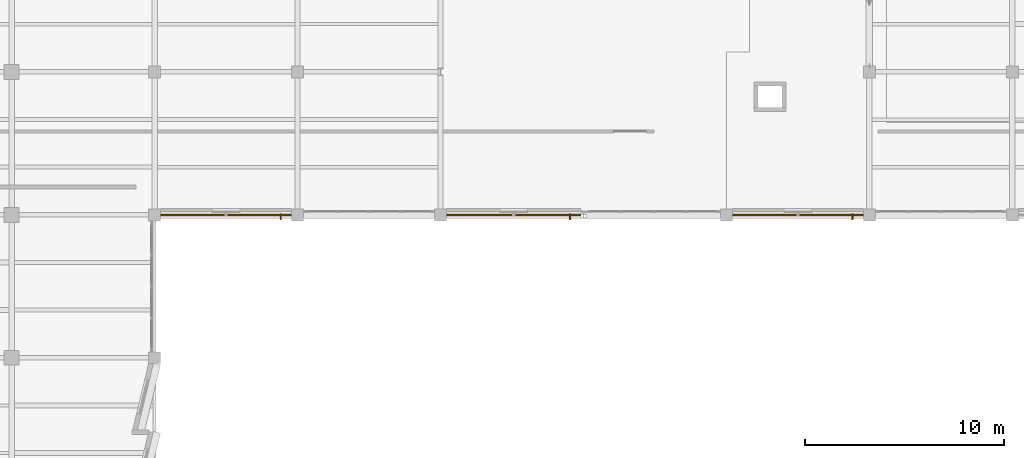
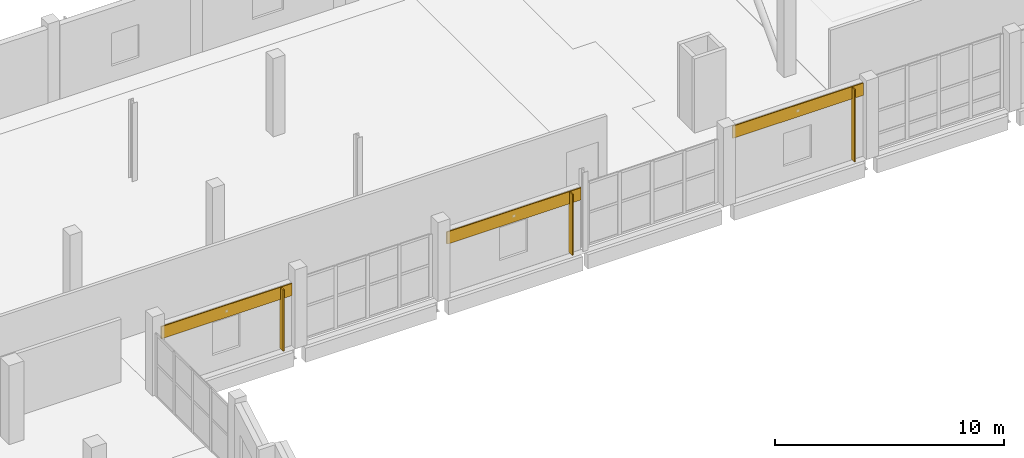
# One storey, part 87 of 94: 3 coverings, 3 shading devices.
"""IFC4 building model written with IfcOpenShell, lengths in metres."""

import ifcopenshell
import ifcopenshell.guid

model = None  # the IFC model being written
_history = None  # IfcOwnerHistory: only IFC2X3 demands one
_inside = {}  # id of a spatial element -> (the spatial element, [elements in it])
_under = {}  # id of a project, library or spatial element -> (it, [spatial elements below it])
_declared = {}  # id of a project -> (the project, [libraries it declares])
_typed = {}  # id of a type object -> (the type object, [elements of that type])
_made_of = {}  # id of a material, layer set ... -> (it, [elements and type objects made of it])


def new_model(schema):
    """Start an empty IFC model of exactly this schema.

    Asked for "IFC4X3", IfcOpenShell would pick the latest addendum, in which some entities
    have other attributes; the version numbers below select the first issue.
    IFC2X3 requires an IfcOwnerHistory on every rooted entity: one is made here for all.
    """
    global model, _history
    if schema == "IFC4X3":
        model = ifcopenshell.file(schema_version=(4, 3, 0, 0))
    else:
        model = ifcopenshell.file(schema=schema)
    _inside.clear()
    _under.clear()
    _declared.clear()
    _typed.clear()
    _made_of.clear()
    _history = None
    if model.schema == "IFC2X3":
        org = make("IfcOrganization", Name="unknown")
        user = make(
            "IfcPersonAndOrganization",
            ThePerson=make("IfcPerson", FamilyName="unknown"),
            TheOrganization=org,
        )
        app = make(
            "IfcApplication",
            ApplicationDeveloper=org,
            Version="unknown",
            ApplicationFullName="unknown",
            ApplicationIdentifier="unknown",
        )
        _history = make(
            "IfcOwnerHistory",
            OwningUser=user,
            OwningApplication=app,
            ChangeAction="ADDED",
            CreationDate=0,
        )
    return model


def make(cls, **values):
    """One entity of the class cls with the attributes given. An attribute that is None is left unset."""
    return model.create_entity(
        cls, **{name: value for name, value in values.items() if value is not None}
    )


def rooted(cls, **values):
    """An entity with a GlobalId (a new one), such as an element, a storey or a relation."""
    return make(cls, GlobalId=ifcopenshell.guid.new(), OwnerHistory=_history, **values)


def si_unit(unit_type, name, prefix=None):
    """IfcSIUnit, for example si_unit("LENGTHUNIT", "METRE", prefix="MILLI")."""
    return make("IfcSIUnit", UnitType=unit_type, Prefix=prefix, Name=name)


def assignment(units):
    """IfcUnitAssignment: the units of a project."""
    return None if units is None else make("IfcUnitAssignment", Units=units)


def point(xyz):
    """IfcCartesianPoint."""
    return None if xyz is None else make("IfcCartesianPoint", Coordinates=xyz)


def direction(xyz):
    """IfcDirection."""
    return None if xyz is None else make("IfcDirection", DirectionRatios=xyz)


def frame(location, z_axis=None, x_axis=None):
    """IfcAxis2Placement3D, a coordinate frame: its origin and axes. An axis left out is left unset."""
    return make(
        "IfcAxis2Placement3D",
        Location=point(location),
        Axis=direction(z_axis),
        RefDirection=direction(x_axis),
    )


def frame_2d(location, x_axis=None):
    """IfcAxis2Placement2D, a coordinate frame in the plane: its origin and x axis."""
    return make(
        "IfcAxis2Placement2D", Location=point(location), RefDirection=direction(x_axis)
    )


def origin():
    """The frame at (0, 0, 0) with its axes left unset."""
    return frame((0.0, 0.0, 0.0))


def origin_2d():
    """The frame at (0, 0) in the plane with its x axis left unset."""
    return frame_2d((0.0, 0.0))


def place(relative_to, where):
    """IfcLocalPlacement: puts the frame where relative to a parent placement (None: the world)."""
    return make(
        "IfcLocalPlacement", PlacementRelTo=relative_to, RelativePlacement=where
    )


def context(
    kind, dimensions, precision=None, world=None, true_north=None, identifier=None
):
    """IfcGeometricRepresentationContext, for example the 3D "Model" context."""
    return make(
        "IfcGeometricRepresentationContext",
        ContextIdentifier=identifier,
        ContextType=kind,
        CoordinateSpaceDimension=dimensions,
        Precision=precision,
        WorldCoordinateSystem=world,
        TrueNorth=true_north,
    )


def subcontext(parent, identifier, kind, view, scale=None):
    """IfcGeometricRepresentationSubContext, for example "Body" below "Model"."""
    return make(
        "IfcGeometricRepresentationSubContext",
        ContextIdentifier=identifier,
        ContextType=kind,
        ParentContext=parent,
        TargetScale=scale,
        TargetView=view,
    )


def project(units=None, contexts=None):
    """IfcProject with its units and contexts."""
    return rooted(
        "IfcProject",
        Name="project",
        RepresentationContexts=contexts,
        UnitsInContext=assignment(units),
    )


def spatial(cls, under=None, at=None, **own):
    """A site, building, storey or space (cls), placed at a placement, below another one or the project."""
    s = rooted(cls, ObjectPlacement=at, **own)
    if under is not None:
        _under.setdefault(under.id(), (under, []))[1].append(s)
    return s


def profile(cls, at=None, kind="AREA", **sizes):
    """A parametric profile (cls). Its sizes go by their IFC names, for example OverallWidth=200.0."""
    return make(cls, ProfileType=kind, Position=at, **sizes)


def rectangle(**sizes):
    """IfcRectangleProfileDef."""
    return profile("IfcRectangleProfileDef", **sizes)


def extrude(swept, where, along, depth):
    """IfcExtrudedAreaSolid: the profile swept, set in the frame where, extruded along a direction by depth."""
    return make(
        "IfcExtrudedAreaSolid",
        SweptArea=swept,
        Position=where,
        ExtrudedDirection=direction(along),
        Depth=depth,
    )


def shape(context_of_items, identifier, shape_type, items):
    """IfcShapeRepresentation: the items that make up one representation, for example the "Body"."""
    return make(
        "IfcShapeRepresentation",
        ContextOfItems=context_of_items,
        RepresentationIdentifier=identifier,
        RepresentationType=shape_type,
        Items=items,
    )


def material(Name=None, Category=None):
    """IfcMaterial."""
    return make("IfcMaterial", Name=Name, Category=Category)


def layer(
    of_material, thickness, ventilated=None, Name=None, Category=None, Priority=None
):
    """IfcMaterialLayer: one layer of a wall or slab, of a material (None: an air gap)."""
    return make(
        "IfcMaterialLayer",
        Material=of_material,
        LayerThickness=thickness,
        IsVentilated=ventilated,
        Name=Name,
        Category=Category,
        Priority=Priority,
    )


def layer_set(layers, Name=None):
    """IfcMaterialLayerSet."""
    return make("IfcMaterialLayerSet", MaterialLayers=layers, LayerSetName=Name)


def made_of(thing, what):
    """Note that an element or type object is made of a material, layer set ...; save() writes the relation."""
    if what is not None:
        _made_of.setdefault(what.id(), (what, []))[1].append(thing)
    return thing


def type_object(cls, material=None, **own):
    """A type object (cls), such as IfcWallType, which elements share."""
    return made_of(rooted(cls, **own), material)


def element(
    cls,
    number,
    at=None,
    inside=None,
    cuts=None,
    type_object=None,
    material=None,
    context=None,
    identifier="Body",
    shape_type=None,
    held_by="IfcProductDefinitionShape",
    body=None,
    shapes=None,
    **own,
):
    """One element of the class cls, such as IfcWall. Its Tag is "e" and its number.

    at: its placement. inside: the storey or other place that contains it. cuts: it is an
    opening in that element (IfcRelVoidsElement). A single representation is given by context,
    identifier, shape_type and body (its items); several are given by shapes. held_by: the class
    of the entity that holds the representations. save() writes the other relations.
    """
    e = rooted(cls, Tag="e%d" % number, ObjectPlacement=at, **own)
    if body is not None:
        shapes = [shape(context, identifier, shape_type, body)]
    if shapes is not None:
        e.Representation = make(held_by, Representations=shapes)
    if inside is not None:
        _inside.setdefault(inside.id(), (inside, []))[1].append(e)
    if cuts is not None:
        rooted(
            "IfcRelVoidsElement", RelatingBuildingElement=cuts, RelatedOpeningElement=e
        )
    if type_object is not None:
        _typed.setdefault(type_object.id(), (type_object, []))[1].append(e)
    return made_of(e, material)


def aggregate(whole, parts):
    """IfcRelAggregates: a whole, such as a stair, and the parts it consists of."""
    return rooted("IfcRelAggregates", RelatingObject=whole, RelatedObjects=parts)


def save(model, path):
    """Write the relations noted so far, then the file.

    IfcRelAggregates (storeys below a building ...), IfcRelContainedInSpatialStructure (elements
    in a storey), IfcRelDefinesByType, IfcRelAssociatesMaterial and IfcRelDeclares: one each for
    every whole, place, type object, material and project.
    """
    for whole, parts in _under.values():
        aggregate(whole, parts)
    for where, things in _inside.values():
        rooted(
            "IfcRelContainedInSpatialStructure",
            RelatedElements=things,
            RelatingStructure=where,
        )
    for kind, things in _typed.values():
        rooted("IfcRelDefinesByType", RelatedObjects=things, RelatingType=kind)
    for what, things in _made_of.values():
        rooted("IfcRelAssociatesMaterial", RelatedObjects=things, RelatingMaterial=what)
    for by, libraries in _declared.values():
        rooted("IfcRelDeclares", RelatingContext=by, RelatedDefinitions=libraries)
    model.write(path)


model = new_model("IFC4")

# Units and contexts
model_context = context("Model", 3, precision=1e-05, world=origin(), true_north=direction((0.0, 1.0)))
body_context = subcontext(model_context, "Body", "Model", "MODEL_VIEW")
ifc_project = project(units=[si_unit("LENGTHUNIT", "METRE"), si_unit("AREAUNIT", "SQUARE_METRE"), si_unit("VOLUMEUNIT", "CUBIC_METRE"), si_unit("PLANEANGLEUNIT", "RADIAN"), si_unit("MASSUNIT", "GRAM", prefix="KILO")], contexts=[model_context])

# Site, building, storey
site_placement = place(None, origin())
site = spatial("IfcSite", under=ifc_project, at=site_placement, CompositionType="ELEMENT")
building_placement = place(site_placement, origin())
building = spatial("IfcBuilding", under=site, at=building_placement, Name="Kalmorath City Hall", CompositionType="ELEMENT")
storey_placement = place(building_placement, frame((0.0, 0.0, 14.699951171875)))
storey = spatial("IfcBuildingStorey", under=building, at=storey_placement, Name="L03", CompositionType="ELEMENT", Elevation=14.699951171875)

# Shading devices
ifc_material_1 = material(Name="Bronze anodised aluminium", Category="aluminium")
ifc_layer_1 = layer(ifc_material_1, 0.06005859375)
ifc_layer_set_1 = layer_set([ifc_layer_1], Name="Bronze anodised aluminium")
shading_device_type = type_object("IfcShadingDeviceType", Name="Bronze vertical solar fin 320", PredefinedType="USERDEFINED", material=ifc_layer_set_1)
shading_device_placement = place(storey_placement, frame((63.948974609375, 93.5, 0.050048828125), z_axis=(0.0, 0.0, 1.0), x_axis=(-1.0, 0.0, 0.0)))
element("IfcShadingDevice", 1, at=shading_device_placement, inside=storey, type_object=shading_device_type, Name="L03 bronze solar fin #337", ObjectType="FIN", PredefinedType="USERDEFINED", context=body_context, shape_type="SweptSolid", body=[
    extrude(rectangle(XDim=0.06005859375, YDim=0.320068359375, at=origin_2d()), origin(), (0.0, 0.0, 1.0), 3.85009765625),
])
for number, where, z_axis, x_axis, name in (
    (2, (49.721923828125, 93.5, 0.050048828125), (0.0, 0.0, 1.0), (-1.0, 0.0, 0.0), "L03 bronze solar fin #338"),
    (3, (35.14892578125, 93.5, 0.050048828125), (0.0, 0.0, 1.0), (-1.0, 0.0, 0.0), "L03 bronze solar fin #339"),
):
    element("IfcShadingDevice", number, at=place(storey_placement, frame(where, z_axis=z_axis, x_axis=x_axis)), inside=storey, type_object=shading_device_type, Name=name, ObjectType="FIN", PredefinedType="USERDEFINED", context=body_context, shape_type="SweptSolid", body=[
        extrude(rectangle(XDim=0.06005859375, YDim=0.320068359375, at=origin_2d()), origin(), (0.0, 0.0, 1.0), 3.251953125),
    ])

# Coverings
ifc_material_2 = material(Name="Volcanic basalt stone cladding", Category="masonry")
ifc_layer_2 = layer(ifc_material_2, 0.06005859375)
ifc_layer_set_2 = layer_set([ifc_layer_2], Name="Volcanic basalt stone cladding")
covering_type = type_object("IfcCoveringType", Name="Volcanic basalt stone rainscreen cladding", PredefinedType="CLADDING", material=ifc_layer_set_2)
covering_1_placement = place(storey_placement, frame((61.199951171875, 93.594970703125, 3.275146484375), z_axis=(0.0, 0.0, 1.0), x_axis=(-1.0, 0.0, 0.0)))
element("IfcCovering", 4, at=covering_1_placement, inside=storey, type_object=covering_type, Name="L03 basalt spandrel cladding #78", PredefinedType="CLADDING", context=body_context, shape_type="SweptSolid", body=[
    extrude(rectangle(XDim=6.597900390625, YDim=0.06005859375, at=origin_2d()), origin(), (0.0, 0.0, 1.0), 0.64990234375),
])
covering_2_placement = place(storey_placement, frame((46.886474609375, 93.594970703125, 2.677001953125), z_axis=(0.0, 0.0, 1.0), x_axis=(-1.0, 0.0, 0.0)))
element("IfcCovering", 5, at=covering_2_placement, inside=storey, type_object=covering_type, Name="L03 basalt spandrel cladding #79", PredefinedType="CLADDING", context=body_context, shape_type="SweptSolid", body=[
    extrude(rectangle(XDim=6.77099609375, YDim=0.06005859375, at=origin_2d()), origin(), (0.0, 0.0, 1.0), 0.64990234375),
])
covering_3_placement = place(storey_placement, frame((32.39990234375, 93.594970703125, 2.677001953125), z_axis=(0.0, 0.0, 1.0), x_axis=(-1.0, 0.0, 0.0)))
element("IfcCovering", 6, at=covering_3_placement, inside=storey, type_object=covering_type, Name="L03 basalt spandrel cladding #80", PredefinedType="CLADDING", context=body_context, shape_type="SweptSolid", body=[
    extrude(rectangle(XDim=6.597900390625, YDim=0.06005859375, at=origin_2d()), origin(), (0.0, 0.0, 1.0), 0.64990234375),
])

save(model, "model.ifc")
